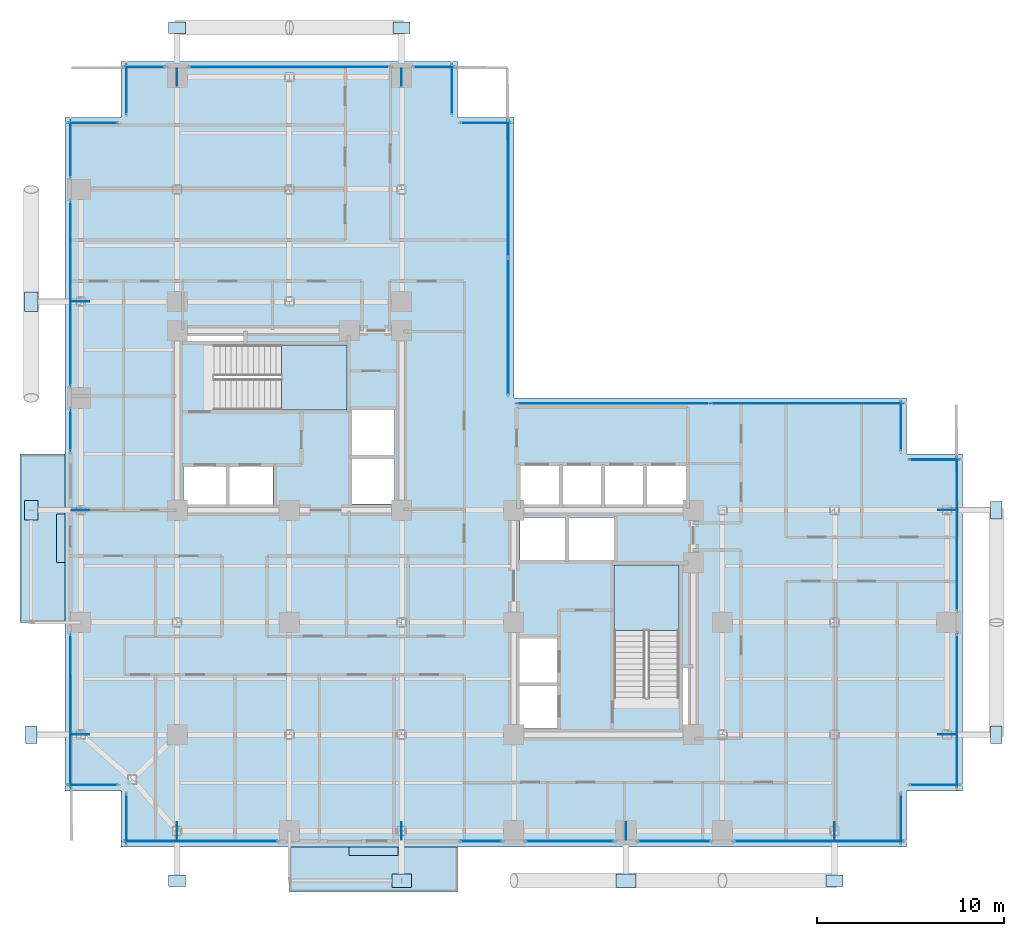
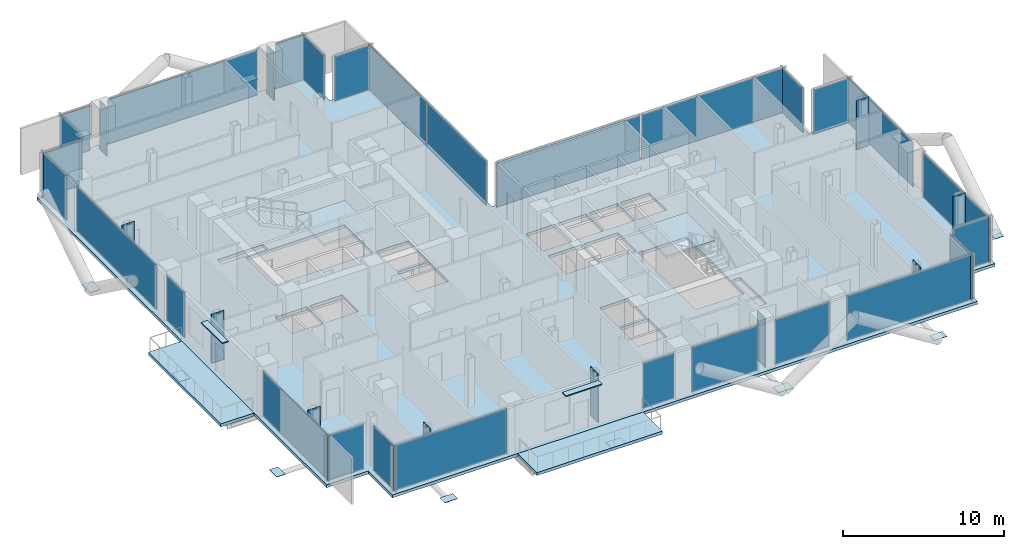
# One storey, part 17 of 24: 52 plates, 5 slabs, 28 elements without a shape of their own.
"""IFC4 building model written with IfcOpenShell, lengths in metres."""

from ifc_helpers import new_model, si_unit, direction, frame, origin, origin_2d, place, context, subcontext, project, spatial, polyline, rectangle, outline, extrude, material, layer, layer_set, type_object, element, aggregate, save


model = new_model("IFC4")

# Units and contexts
model_context = context("Model", 3, precision=1e-05, world=origin(), true_north=direction((0.0, 1.0)))
body_context = subcontext(model_context, "Body", "Model", "MODEL_VIEW")
ifc_project = project(units=[si_unit("LENGTHUNIT", "METRE"), si_unit("AREAUNIT", "SQUARE_METRE"), si_unit("VOLUMEUNIT", "CUBIC_METRE"), si_unit("PLANEANGLEUNIT", "RADIAN"), si_unit("MASSUNIT", "GRAM", prefix="KILO"), si_unit("THERMODYNAMICTEMPERATUREUNIT", "KELVIN"), si_unit("POWERUNIT", "WATT")], contexts=[model_context])

# Site, building, storey
site_placement = place(None, origin())
site = spatial("IfcSite", under=ifc_project, at=site_placement, CompositionType="ELEMENT")
building_placement = place(site_placement, origin())
building = spatial("IfcBuilding", under=site, at=building_placement, Name="Svarakhadi Broadcast Tower", CompositionType="ELEMENT")
storey_placement = place(building_placement, frame((0.0, 0.0, 156.89990234375)))
storey = spatial("IfcBuildingStorey", under=building, at=storey_placement, Name="L38", CompositionType="ELEMENT", Elevation=156.89990234375)

# Curtain wall, plate
ifc_material_1 = material(Name="Anodised Bronze Aluminium AA 6063-T6", Category="aluminium")
ifc_layer_1 = layer(ifc_material_1, 0.199951171875)
ifc_layer_set_1 = layer_set([ifc_layer_1], Name="Anodised Bronze Aluminium AA 6063-T6")
curtain_wall_type = type_object("IfcCurtainWallType", Name="CW_Sys_03", PredefinedType="NOTDEFINED", material=ifc_layer_set_1)
curtain_wall_1_placement = place(storey_placement, origin())
curtain_wall_1 = element("IfcCurtainWall", 1, at=curtain_wall_1_placement, inside=storey, type_object=curtain_wall_type, Name="L38 Unitised Facade Curtain Wall 01", PredefinedType="NOTDEFINED")
ifc_material_2 = material(Name="Double Low-E Laminated Acoustic Glass IGU 36 mm", Category="glass")
ifc_layer_2 = layer(ifc_material_2, 0.035888671875)
ifc_layer_set_2 = layer_set([ifc_layer_2], Name="Double Low-E Laminated Acoustic Glass IGU 36 mm")
plate_type_1 = type_object("IfcPlateType", Name="CW_Sys_03_Pnl", PredefinedType="CURTAIN_PANEL", material=ifc_layer_set_2)
plate_1_placement = place(storey_placement, frame((1.5, 3.300048828125, 0.0703125), z_axis=(0.0, 0.0, 1.0), x_axis=(-1.0, 0.0, 0.0)))
plate_1 = element("IfcPlate", 2, at=plate_1_placement, type_object=plate_type_1, Name="CW-03 panel 1.1", PredefinedType="CURTAIN_PANEL", context=body_context, shape_type="SweptSolid", body=[
    extrude(rectangle(XDim=2.669921875, YDim=0.035888671875, at=origin_2d()), origin(), (0.0, 0.0, 1.0), 3.385009765625),
])
aggregate(curtain_wall_1, [plate_1])

curtain_wall_2_placement = place(storey_placement, origin())
curtain_wall_2 = element("IfcCurtainWall", 3, at=curtain_wall_2_placement, inside=storey, type_object=curtain_wall_type, Name="L38 West Curtain Wall 02", PredefinedType="NOTDEFINED")
plate_2_placement = place(storey_placement, frame((0.300048828125, 7.260009765625, 0.0703125), z_axis=(0.0, 0.0, 1.0), x_axis=(0.0, 1.0, 0.0)))
plate_2 = element("IfcPlate", 4, at=plate_2_placement, type_object=plate_type_1, Name="CW-03 panel 1.1", PredefinedType="CURTAIN_PANEL", context=body_context, shape_type="SweptSolid", body=[
    extrude(rectangle(XDim=8.18994140625, YDim=0.035888671875, at=origin_2d()), origin(), (0.0, 0.0, 1.0), 3.385009765625),
])
aggregate(curtain_wall_2, [plate_2])

curtain_wall_3_placement = place(storey_placement, origin())
curtain_wall_3 = element("IfcCurtainWall", 5, at=curtain_wall_3_placement, inside=storey, type_object=curtain_wall_type, Name="L38 West Curtain Wall 03 Bay 1", PredefinedType="NOTDEFINED")
plate_3_placement = place(storey_placement, frame((0.300048828125, 22.260009765625, 0.0703125), z_axis=(0.0, 0.0, 1.0), x_axis=(0.0, 1.0, 0.0)))
plate_3 = element("IfcPlate", 6, at=plate_3_placement, type_object=plate_type_1, Name="CW-03 panel 1.1", PredefinedType="CURTAIN_PANEL", context=body_context, shape_type="SweptSolid", body=[
    extrude(rectangle(XDim=2.18994140625, YDim=0.035888671875, at=origin_2d()), origin(), (0.0, 0.0, 1.0), 3.385009765625),
])
aggregate(curtain_wall_3, [plate_3])

curtain_wall_4_placement = place(storey_placement, origin())
curtain_wall_4 = element("IfcCurtainWall", 7, at=curtain_wall_4_placement, inside=storey, type_object=curtain_wall_type, Name="L38 West Curtain Wall 03 Bay 2", PredefinedType="NOTDEFINED")
plate_4_placement = place(storey_placement, frame((0.300048828125, 29.574951171875, 0.0703125), z_axis=(0.0, 0.0, 1.0), x_axis=(0.0, 1.0, 0.0)))
plate_4 = element("IfcPlate", 8, at=plate_4_placement, type_object=plate_type_1, Name="CW-03 panel 1.1", PredefinedType="CURTAIN_PANEL", context=body_context, shape_type="SweptSolid", body=[
    extrude(rectangle(XDim=9.860107421875, YDim=0.035888671875, at=origin_2d()), origin(), (0.0, 0.0, 1.0), 3.385009765625),
])
aggregate(curtain_wall_4, [plate_4])

curtain_wall_5_placement = place(storey_placement, origin())
curtain_wall_5 = element("IfcCurtainWall", 9, at=curtain_wall_5_placement, inside=storey, type_object=curtain_wall_type, Name="L38 West Curtain Wall 03 Bay 3", PredefinedType="NOTDEFINED")
plate_5_placement = place(storey_placement, frame((0.300048828125, 37.31494140625, 0.0703125), z_axis=(0.0, 0.0, 1.0), x_axis=(0.0, 1.0, 0.0)))
plate_5 = element("IfcPlate", 10, at=plate_5_placement, type_object=plate_type_1, Name="CW-03 panel 1.1", PredefinedType="CURTAIN_PANEL", context=body_context, shape_type="SweptSolid", body=[
    extrude(rectangle(XDim=3.0400390625, YDim=0.035888671875, at=origin_2d()), origin(), (0.0, 0.0, 1.0), 3.385009765625),
])
aggregate(curtain_wall_5, [plate_5])

curtain_wall_6_placement = place(storey_placement, origin())
curtain_wall_6 = element("IfcCurtainWall", 11, at=curtain_wall_6_placement, inside=storey, type_object=curtain_wall_type, Name="L38 Unitised Facade Curtain Wall 04", PredefinedType="NOTDEFINED")
plate_6_placement = place(storey_placement, frame((1.5, 38.699951171875, 0.0703125), z_axis=(0.0, 0.0, 1.0), x_axis=(1.0, 0.0, 0.0)))
plate_6 = element("IfcPlate", 12, at=plate_6_placement, type_object=plate_type_1, Name="CW-03 panel 1.1", PredefinedType="CURTAIN_PANEL", context=body_context, shape_type="SweptSolid", body=[
    extrude(rectangle(XDim=2.669921875, YDim=0.035888671875, at=origin_2d()), origin(), (0.0, 0.0, 1.0), 3.385009765625),
])
aggregate(curtain_wall_6, [plate_6])

curtain_wall_7_placement = place(storey_placement, origin())
curtain_wall_7 = element("IfcCurtainWall", 13, at=curtain_wall_7_placement, inside=storey, type_object=curtain_wall_type, Name="L38 Unitised Facade Curtain Wall 05", PredefinedType="NOTDEFINED")
plate_7_placement = place(storey_placement, frame((3.300048828125, 40.5, 0.0703125), z_axis=(0.0, 0.0, 1.0), x_axis=(0.0, 1.0, 0.0)))
plate_7 = element("IfcPlate", 14, at=plate_7_placement, type_object=plate_type_1, Name="CW-03 panel 1.1", PredefinedType="CURTAIN_PANEL", context=body_context, shape_type="SweptSolid", body=[
    extrude(rectangle(XDim=2.669921875, YDim=0.035888671875, at=origin_2d()), origin(), (0.0, 0.0, 1.0), 3.385009765625),
])
aggregate(curtain_wall_7, [plate_7])

curtain_wall_8_placement = place(storey_placement, origin())
curtain_wall_8 = element("IfcCurtainWall", 15, at=curtain_wall_8_placement, inside=storey, type_object=curtain_wall_type, Name="L38 Unitised Facade Curtain Wall 06 Bay 1", PredefinedType="NOTDEFINED")
plate_8_placement = place(storey_placement, frame((4.260009765625, 41.699951171875, 0.0703125), z_axis=(0.0, 0.0, 1.0), x_axis=(1.0, 0.0, 0.0)))
plate_8 = element("IfcPlate", 16, at=plate_8_placement, type_object=plate_type_1, Name="CW-03 panel 1.1", PredefinedType="CURTAIN_PANEL", context=body_context, shape_type="SweptSolid", body=[
    extrude(rectangle(XDim=2.18994140625, YDim=0.035888671875, at=origin_2d()), origin(), (0.0, 0.0, 1.0), 3.385009765625),
])
aggregate(curtain_wall_8, [plate_8])

curtain_wall_9_placement = place(storey_placement, origin())
curtain_wall_9 = element("IfcCurtainWall", 17, at=curtain_wall_9_placement, inside=storey, type_object=curtain_wall_type, Name="L38 Unitised Facade Curtain Wall 06 Bay 2", PredefinedType="NOTDEFINED")
plate_9_placement = place(storey_placement, frame((12.0, 41.699951171875, 0.0703125), z_axis=(0.0, 0.0, 1.0), x_axis=(1.0, 0.0, 0.0)))
plate_9 = element("IfcPlate", 18, at=plate_9_placement, type_object=plate_type_1, Name="CW-03 panel 1.1", PredefinedType="CURTAIN_PANEL", context=body_context, shape_type="SweptSolid", body=[
    extrude(rectangle(XDim=10.7099609375, YDim=0.035888671875, at=origin_2d()), origin(), (0.0, 0.0, 1.0), 3.385009765625),
])
aggregate(curtain_wall_9, [plate_9])

curtain_wall_10_placement = place(storey_placement, origin())
curtain_wall_10 = element("IfcCurtainWall", 19, at=curtain_wall_10_placement, inside=storey, type_object=curtain_wall_type, Name="L38 Unitised Facade Curtain Wall 06 Bay 3", PredefinedType="NOTDEFINED")
plate_10_placement = place(storey_placement, frame((19.739990234375, 41.699951171875, 0.0703125), z_axis=(0.0, 0.0, 1.0), x_axis=(1.0, 0.0, 0.0)))
plate_10 = element("IfcPlate", 20, at=plate_10_placement, type_object=plate_type_1, Name="CW-03 panel 1.1", PredefinedType="CURTAIN_PANEL", context=body_context, shape_type="SweptSolid", body=[
    extrude(rectangle(XDim=2.18994140625, YDim=0.035888671875, at=origin_2d()), origin(), (0.0, 0.0, 1.0), 3.385009765625),
])
aggregate(curtain_wall_10, [plate_10])

curtain_wall_11_placement = place(storey_placement, origin())
curtain_wall_11 = element("IfcCurtainWall", 21, at=curtain_wall_11_placement, inside=storey, type_object=curtain_wall_type, Name="L38 Unitised Facade Curtain Wall 07", PredefinedType="NOTDEFINED")
plate_11_placement = place(storey_placement, frame((20.699951171875, 40.5, 0.0703125), z_axis=(0.0, 0.0, 1.0), x_axis=(0.0, -1.0, 0.0)))
plate_11 = element("IfcPlate", 22, at=plate_11_placement, type_object=plate_type_1, Name="CW-03 panel 1.1", PredefinedType="CURTAIN_PANEL", context=body_context, shape_type="SweptSolid", body=[
    extrude(rectangle(XDim=2.669921875, YDim=0.035888671875, at=origin_2d()), origin(), (0.0, 0.0, 1.0), 3.385009765625),
])
aggregate(curtain_wall_11, [plate_11])

curtain_wall_12_placement = place(storey_placement, origin())
curtain_wall_12 = element("IfcCurtainWall", 23, at=curtain_wall_12_placement, inside=storey, type_object=curtain_wall_type, Name="L38 Unitised Facade Curtain Wall 08", PredefinedType="NOTDEFINED")
plate_12_placement = place(storey_placement, frame((22.5, 38.699951171875, 0.0703125), z_axis=(0.0, 0.0, 1.0), x_axis=(1.0, 0.0, 0.0)))
plate_12 = element("IfcPlate", 24, at=plate_12_placement, type_object=plate_type_1, Name="CW-03 panel 1.1", PredefinedType="CURTAIN_PANEL", context=body_context, shape_type="SweptSolid", body=[
    extrude(rectangle(XDim=2.669921875, YDim=0.035888671875, at=origin_2d()), origin(), (0.0, 0.0, 1.0), 3.385009765625),
])
aggregate(curtain_wall_12, [plate_12])

# Curtain wall, plates
curtain_wall_13_placement = place(storey_placement, origin())
curtain_wall_13 = element("IfcCurtainWall", 25, at=curtain_wall_13_placement, inside=storey, type_object=curtain_wall_type, Name="L38 Unitised Facade Curtain Wall 09", PredefinedType="NOTDEFINED")
plate_13_placement = place(storey_placement, frame((23.699951171875, 35.186279296875, 0.0703125), z_axis=(0.0, 0.0, 1.0), x_axis=(0.0, -1.0, 0.0)))
plate_13 = element("IfcPlate", 26, at=plate_13_placement, type_object=plate_type_1, Name="CW-03 panel 1.1", PredefinedType="CURTAIN_PANEL", context=body_context, shape_type="SweptSolid", body=[
    extrude(rectangle(XDim=7.297607421875, YDim=0.035888671875, at=origin_2d()), origin(), (0.0, 0.0, 1.0), 3.385009765625),
])
plate_14_placement = place(storey_placement, frame((23.699951171875, 27.813720703125, 0.0703125), z_axis=(0.0, 0.0, 1.0), x_axis=(0.0, -1.0, 0.0)))
plate_14 = element("IfcPlate", 27, at=plate_14_placement, type_object=plate_type_1, Name="CW-03 panel 2.1", PredefinedType="CURTAIN_PANEL", context=body_context, shape_type="SweptSolid", body=[
    extrude(rectangle(XDim=7.297607421875, YDim=0.035888671875, at=origin_2d()), origin(), (0.0, 0.0, 1.0), 3.385009765625),
])
aggregate(curtain_wall_13, [plate_13, plate_14])

curtain_wall_14_placement = place(storey_placement, origin())
curtain_wall_14 = element("IfcCurtainWall", 28, at=curtain_wall_14_placement, inside=storey, type_object=curtain_wall_type, Name="L38 Unitised Facade Curtain Wall 10", PredefinedType="NOTDEFINED")
plate_15_placement = place(storey_placement, frame((29.313720703125, 23.699951171875, 0.0703125), z_axis=(0.0, 0.0, 1.0), x_axis=(1.0, 0.0, 0.0)))
plate_15 = element("IfcPlate", 29, at=plate_15_placement, type_object=plate_type_1, Name="CW-03 panel 1.1", PredefinedType="CURTAIN_PANEL", context=body_context, shape_type="SweptSolid", body=[
    extrude(rectangle(XDim=10.297607421875, YDim=0.035888671875, at=origin_2d()), origin(), (0.0, 0.0, 1.0), 3.385009765625),
])
plate_16_placement = place(storey_placement, frame((39.686279296875, 23.699951171875, 0.0703125), z_axis=(0.0, 0.0, 1.0), x_axis=(1.0, 0.0, 0.0)))
plate_16 = element("IfcPlate", 30, at=plate_16_placement, type_object=plate_type_1, Name="CW-03 panel 2.1", PredefinedType="CURTAIN_PANEL", context=body_context, shape_type="SweptSolid", body=[
    extrude(rectangle(XDim=10.297607421875, YDim=0.035888671875, at=origin_2d()), origin(), (0.0, 0.0, 1.0), 3.385009765625),
])
aggregate(curtain_wall_14, [plate_15, plate_16])

# Curtain wall, plate
curtain_wall_15_placement = place(storey_placement, origin())
curtain_wall_15 = element("IfcCurtainWall", 31, at=curtain_wall_15_placement, inside=storey, type_object=curtain_wall_type, Name="L38 Unitised Facade Curtain Wall 11", PredefinedType="NOTDEFINED")
plate_17_placement = place(storey_placement, frame((44.699951171875, 22.5, 0.0703125), z_axis=(0.0, 0.0, 1.0), x_axis=(0.0, -1.0, 0.0)))
plate_17 = element("IfcPlate", 32, at=plate_17_placement, type_object=plate_type_1, Name="CW-03 panel 1.1", PredefinedType="CURTAIN_PANEL", context=body_context, shape_type="SweptSolid", body=[
    extrude(rectangle(XDim=2.669921875, YDim=0.035888671875, at=origin_2d()), origin(), (0.0, 0.0, 1.0), 3.385009765625),
])
aggregate(curtain_wall_15, [plate_17])

curtain_wall_16_placement = place(storey_placement, origin())
curtain_wall_16 = element("IfcCurtainWall", 33, at=curtain_wall_16_placement, inside=storey, type_object=curtain_wall_type, Name="L38 Unitised Facade Curtain Wall 12", PredefinedType="NOTDEFINED")
plate_18_placement = place(storey_placement, frame((46.5, 20.699951171875, 0.0703125), z_axis=(0.0, 0.0, 1.0), x_axis=(1.0, 0.0, 0.0)))
plate_18 = element("IfcPlate", 34, at=plate_18_placement, type_object=plate_type_1, Name="CW-03 panel 1.1", PredefinedType="CURTAIN_PANEL", context=body_context, shape_type="SweptSolid", body=[
    extrude(rectangle(XDim=2.669921875, YDim=0.035888671875, at=origin_2d()), origin(), (0.0, 0.0, 1.0), 3.385009765625),
])
aggregate(curtain_wall_16, [plate_18])

curtain_wall_17_placement = place(storey_placement, origin())
curtain_wall_17 = element("IfcCurtainWall", 35, at=curtain_wall_17_placement, inside=storey, type_object=curtain_wall_type, Name="L38 Unitised Facade Curtain Wall 13 Bay 1", PredefinedType="NOTDEFINED")
plate_19_placement = place(storey_placement, frame((47.699951171875, 16.739990234375, 0.0703125), z_axis=(0.0, 0.0, 1.0), x_axis=(0.0, -1.0, 0.0)))
plate_19 = element("IfcPlate", 36, at=plate_19_placement, type_object=plate_type_1, Name="CW-03 panel 1.1", PredefinedType="CURTAIN_PANEL", context=body_context, shape_type="SweptSolid", body=[
    extrude(rectangle(XDim=8.18994140625, YDim=0.035888671875, at=origin_2d()), origin(), (0.0, 0.0, 1.0), 3.385009765625),
])
aggregate(curtain_wall_17, [plate_19])

curtain_wall_18_placement = place(storey_placement, origin())
curtain_wall_18 = element("IfcCurtainWall", 37, at=curtain_wall_18_placement, inside=storey, type_object=curtain_wall_type, Name="L38 Unitised Facade Curtain Wall 13 Bay 2", PredefinedType="NOTDEFINED")
plate_20_placement = place(storey_placement, frame((47.699951171875, 7.260009765625, 0.0703125), z_axis=(0.0, 0.0, 1.0), x_axis=(0.0, -1.0, 0.0)))
plate_20 = element("IfcPlate", 38, at=plate_20_placement, type_object=plate_type_1, Name="CW-03 panel 1.1", PredefinedType="CURTAIN_PANEL", context=body_context, shape_type="SweptSolid", body=[
    extrude(rectangle(XDim=8.18994140625, YDim=0.035888671875, at=origin_2d()), origin(), (0.0, 0.0, 1.0), 3.385009765625),
])
aggregate(curtain_wall_18, [plate_20])

curtain_wall_19_placement = place(storey_placement, origin())
curtain_wall_19 = element("IfcCurtainWall", 39, at=curtain_wall_19_placement, inside=storey, type_object=curtain_wall_type, Name="L38 Unitised Facade Curtain Wall 14", PredefinedType="NOTDEFINED")
plate_21_placement = place(storey_placement, frame((46.5, 3.300048828125, 0.0703125), z_axis=(0.0, 0.0, 1.0), x_axis=(-1.0, 0.0, 0.0)))
plate_21 = element("IfcPlate", 40, at=plate_21_placement, type_object=plate_type_1, Name="CW-03 panel 1.1", PredefinedType="CURTAIN_PANEL", context=body_context, shape_type="SweptSolid", body=[
    extrude(rectangle(XDim=2.669921875, YDim=0.035888671875, at=origin_2d()), origin(), (0.0, 0.0, 1.0), 3.385009765625),
])
aggregate(curtain_wall_19, [plate_21])

curtain_wall_20_placement = place(storey_placement, origin())
curtain_wall_20 = element("IfcCurtainWall", 41, at=curtain_wall_20_placement, inside=storey, type_object=curtain_wall_type, Name="L38 Unitised Facade Curtain Wall 15", PredefinedType="NOTDEFINED")
plate_22_placement = place(storey_placement, frame((44.699951171875, 1.5, 0.0703125), z_axis=(0.0, 0.0, 1.0), x_axis=(0.0, -1.0, 0.0)))
plate_22 = element("IfcPlate", 42, at=plate_22_placement, type_object=plate_type_1, Name="CW-03 panel 1.1", PredefinedType="CURTAIN_PANEL", context=body_context, shape_type="SweptSolid", body=[
    extrude(rectangle(XDim=2.669921875, YDim=0.035888671875, at=origin_2d()), origin(), (0.0, 0.0, 1.0), 3.385009765625),
])
aggregate(curtain_wall_20, [plate_22])

curtain_wall_21_placement = place(storey_placement, origin())
curtain_wall_21 = element("IfcCurtainWall", 43, at=curtain_wall_21_placement, inside=storey, type_object=curtain_wall_type, Name="L38 South Curtain Wall 16 Bay 1", PredefinedType="NOTDEFINED")
plate_23_placement = place(storey_placement, frame((40.31494140625, 0.300048828125, 0.0703125), z_axis=(0.0, 0.0, 1.0), x_axis=(-1.0, 0.0, 0.0)))
plate_23 = element("IfcPlate", 44, at=plate_23_placement, type_object=plate_type_1, Name="CW-03 panel 1.1", PredefinedType="CURTAIN_PANEL", context=body_context, shape_type="SweptSolid", body=[
    extrude(rectangle(XDim=9.0400390625, YDim=0.035888671875, at=origin_2d()), origin(), (0.0, 0.0, 1.0), 3.385009765625),
])
aggregate(curtain_wall_21, [plate_23])

curtain_wall_22_placement = place(storey_placement, origin())
curtain_wall_22 = element("IfcCurtainWall", 45, at=curtain_wall_22_placement, inside=storey, type_object=curtain_wall_type, Name="L38 South Curtain Wall 16 Bay 2", PredefinedType="NOTDEFINED")
plate_24_placement = place(storey_placement, frame((32.574951171875, 0.300048828125, 0.0703125), z_axis=(0.0, 0.0, 1.0), x_axis=(-1.0, 0.0, 0.0)))
plate_24 = element("IfcPlate", 46, at=plate_24_placement, type_object=plate_type_1, Name="CW-03 panel 1.1", PredefinedType="CURTAIN_PANEL", context=body_context, shape_type="SweptSolid", body=[
    extrude(rectangle(XDim=3.860107421875, YDim=0.035888671875, at=origin_2d()), origin(), (0.0, 0.0, 1.0), 3.385009765625),
])
aggregate(curtain_wall_22, [plate_24])

curtain_wall_23_placement = place(storey_placement, origin())
curtain_wall_23 = element("IfcCurtainWall", 47, at=curtain_wall_23_placement, inside=storey, type_object=curtain_wall_type, Name="L38 South Curtain Wall 16 Bay 3", PredefinedType="NOTDEFINED")
plate_25_placement = place(storey_placement, frame((27.0, 0.300048828125, 0.0703125), z_axis=(0.0, 0.0, 1.0), x_axis=(-1.0, 0.0, 0.0)))
plate_25 = element("IfcPlate", 48, at=plate_25_placement, type_object=plate_type_1, Name="CW-03 panel 1.1", PredefinedType="CURTAIN_PANEL", context=body_context, shape_type="SweptSolid", body=[
    extrude(rectangle(XDim=4.7099609375, YDim=0.035888671875, at=origin_2d()), origin(), (0.0, 0.0, 1.0), 3.385009765625),
])
aggregate(curtain_wall_23, [plate_25])

curtain_wall_24_placement = place(storey_placement, origin())
curtain_wall_24 = element("IfcCurtainWall", 49, at=curtain_wall_24_placement, inside=storey, type_object=curtain_wall_type, Name="L38 South Curtain Wall 16 Bay 4", PredefinedType="NOTDEFINED")
plate_26_placement = place(storey_placement, frame((22.260009765625, 0.300048828125, 0.0703125), z_axis=(0.0, 0.0, 1.0), x_axis=(-1.0, 0.0, 0.0)))
plate_26 = element("IfcPlate", 50, at=plate_26_placement, type_object=plate_type_1, Name="CW-03 panel 1.1", PredefinedType="CURTAIN_PANEL", context=body_context, shape_type="SweptSolid", body=[
    extrude(rectangle(XDim=2.18994140625, YDim=0.035888671875, at=origin_2d()), origin(), (0.0, 0.0, 1.0), 3.385009765625),
])
aggregate(curtain_wall_24, [plate_26])

curtain_wall_25_placement = place(storey_placement, origin())
curtain_wall_25 = element("IfcCurtainWall", 51, at=curtain_wall_25_placement, inside=storey, type_object=curtain_wall_type, Name="L38 South Curtain Wall 17", PredefinedType="NOTDEFINED")
plate_27_placement = place(storey_placement, frame((7.260009765625, 0.300048828125, 0.0703125), z_axis=(0.0, 0.0, 1.0), x_axis=(-1.0, 0.0, 0.0)))
plate_27 = element("IfcPlate", 52, at=plate_27_placement, type_object=plate_type_1, Name="CW-03 panel 1.1", PredefinedType="CURTAIN_PANEL", context=body_context, shape_type="SweptSolid", body=[
    extrude(rectangle(XDim=8.18994140625, YDim=0.035888671875, at=origin_2d()), origin(), (0.0, 0.0, 1.0), 3.385009765625),
])
aggregate(curtain_wall_25, [plate_27])

curtain_wall_26_placement = place(storey_placement, origin())
curtain_wall_26 = element("IfcCurtainWall", 53, at=curtain_wall_26_placement, inside=storey, type_object=curtain_wall_type, Name="L38 Unitised Facade Curtain Wall 18", PredefinedType="NOTDEFINED")
plate_28_placement = place(storey_placement, frame((3.300048828125, 1.5, 0.0703125), z_axis=(0.0, 0.0, 1.0), x_axis=(0.0, 1.0, 0.0)))
plate_28 = element("IfcPlate", 54, at=plate_28_placement, type_object=plate_type_1, Name="CW-03 panel 1.1", PredefinedType="CURTAIN_PANEL", context=body_context, shape_type="SweptSolid", body=[
    extrude(rectangle(XDim=2.669921875, YDim=0.035888671875, at=origin_2d()), origin(), (0.0, 0.0, 1.0), 3.385009765625),
])
aggregate(curtain_wall_26, [plate_28])

# Plates
ifc_material_3 = material(Name="Steel S460ML (IS 2062 E450BR)", Category="steel")
ifc_layer_3 = layer(ifc_material_3, 0.031982421875)
ifc_layer_set_3 = layer_set([ifc_layer_3], Name="Steel S460ML (IS 2062 E450BR)")
plate_type_2 = type_object("IfcPlateType", Name="Node_Gusset_N02", PredefinedType="SHEET", material=ifc_layer_set_3)
for number, where, z_axis, x_axis, name in (
    (55, (18.0, -1.800048828125, -0.22509765625), (0.0, 0.0, 1.0), (1.0, 0.0, 0.0), "L38 Exoskeleton Gusset Node Plate S02"),
    (56, (30.0, -1.800048828125, -0.22509765625), (0.0, 0.0, 1.0), (1.0, 0.0, 0.0), "L38 Exoskeleton Gusset Node Plate S03"),
    (57, (-1.800048828125, 18.0, -0.22509765625), (0.0, 0.0, 1.0), (0.0, 1.0, 0.0), "L38 Exoskeleton Gusset Node Plate W06"),
    (58, (-1.800048828125, 29.14990234375, -0.22509765625), (0.0, 0.0, 1.0), (0.0, 1.0, 0.0), "L38 Exoskeleton Gusset Node Plate W07"),
):
    element("IfcPlate", number, at=place(storey_placement, frame(where, z_axis=z_axis, x_axis=x_axis)), inside=storey, type_object=plate_type_2, Name=name, PredefinedType="SHEET", context=body_context, shape_type="SweptSolid", body=[
        extrude(rectangle(XDim=1.050048828125, YDim=0.719970703125, at=origin_2d()), origin(), (0.0, 0.0, 1.0), 0.031982421875),
    ])
ifc_layer_4 = layer(ifc_material_3, 0.02587890625)
ifc_layer_set_4 = layer_set([ifc_layer_4], Name="Steel S460ML (IS 2062 E450BR)")
plate_type_3 = type_object("IfcPlateType", Name="Node_Gusset_N07", PredefinedType="SHEET", material=ifc_layer_set_4)
for number, where, z_axis, x_axis, name in (
    (59, (6.0, -1.800048828125, -0.224853515625), (0.0, 0.0, 1.0), (1.0, 0.0, 0.0), "L38 Exoskeleton Gusset Node Plate S01"),
    (60, (41.14990234375, -1.800048828125, -0.224853515625), (0.0, 0.0, 1.0), (1.0, 0.0, 0.0), "L38 Exoskeleton Gusset Node Plate S04"),
    (61, (-1.800048828125, 6.0, -0.224853515625), (0.0, 0.0, 1.0), (0.0, 1.0, 0.0), "L38 Exoskeleton Gusset Node Plate W05"),
    (62, (49.800048828125, 6.0, -0.224853515625), (0.0, 0.0, 1.0), (0.0, 1.0, 0.0), "L38 Exoskeleton Gusset Node Plate E08"),
    (63, (49.800048828125, 18.0, -0.224853515625), (0.0, 0.0, 1.0), (0.0, 1.0, 0.0), "L38 Exoskeleton Gusset Node Plate E09"),
    (64, (6.0, 43.800048828125, -0.224853515625), (0.0, 0.0, 1.0), (1.0, 0.0, 0.0), "L38 Exoskeleton Gusset Node Plate N10"),
    (65, (18.0, 43.800048828125, -0.224853515625), (0.0, 0.0, 1.0), (1.0, 0.0, 0.0), "L38 Exoskeleton Gusset Node Plate N11"),
):
    element("IfcPlate", number, at=place(storey_placement, frame(where, z_axis=z_axis, x_axis=x_axis)), inside=storey, type_object=plate_type_3, Name=name, PredefinedType="SHEET", context=body_context, shape_type="SweptSolid", body=[
        extrude(rectangle(XDim=0.919921875, YDim=0.6201171875, at=origin_2d()), origin(), (0.0, 0.0, 1.0), 0.02587890625),
    ])
for number, where, z_axis, x_axis, name in (
    (66, (6.0, 0.85009765625, -0.5869140625), (0.0, 0.0, 1.0), (0.0, 1.0, 0.0), "L38 Brace End Connection Gusset Plate N-07-E0310"),
    (67, (18.0, 0.85009765625, -0.5869140625), (0.0, 0.0, 1.0), (0.0, 1.0, 0.0), "L38 Brace End Connection Gusset Plate N-07-E0311"),
    (68, (30.0, 0.85009765625, -0.5869140625), (0.0, 0.0, 1.0), (0.0, 1.0, 0.0), "L38 Brace End Connection Gusset Plate N-07-E0312"),
    (69, (41.14990234375, 0.85009765625, -0.5869140625), (0.0, 0.0, 1.0), (0.0, 1.0, 0.0), "L38 Brace End Connection Gusset Plate N-07-E0313"),
    (70, (0.85009765625, 6.0, -0.5869140625), (0.0, 0.0, 1.0), (1.0, 0.0, 0.0), "L38 Brace End Connection Gusset Plate N-07-E0314"),
    (71, (0.85009765625, 18.0, -0.5869140625), (0.0, 0.0, 1.0), (1.0, 0.0, 0.0), "L38 Brace End Connection Gusset Plate N-07-E0315"),
    (72, (0.85009765625, 29.14990234375, -0.5869140625), (0.0, 0.0, 1.0), (1.0, 0.0, 0.0), "L38 Brace End Connection Gusset Plate N-07-E0316"),
    (73, (47.14990234375, 6.0, -0.5869140625), (0.0, 0.0, 1.0), (1.0, 0.0, 0.0), "L38 Brace End Connection Gusset Plate N-07-E0317"),
    (74, (47.14990234375, 18.0, -0.5869140625), (0.0, 0.0, 1.0), (1.0, 0.0, 0.0), "L38 Brace End Connection Gusset Plate N-07-E0318"),
    (75, (6.0, 41.14990234375, -0.5869140625), (0.0, 0.0, 1.0), (0.0, 1.0, 0.0), "L38 Brace End Connection Gusset Plate N-07-E0319"),
    (76, (18.0, 41.14990234375, -0.5869140625), (0.0, 0.0, 1.0), (0.0, 1.0, 0.0), "L38 Brace End Connection Gusset Plate N-07-E0320"),
):
    element("IfcPlate", number, at=place(storey_placement, frame(where, z_axis=z_axis, x_axis=x_axis)), inside=storey, type_object=plate_type_3, Name=name, PredefinedType="SHEET", context=body_context, shape_type="SweptSolid", body=[
        extrude(rectangle(XDim=0.919921875, YDim=0.02587890625, at=origin_2d()), origin(), (0.0, 0.0, 1.0), 4.300048828125),
    ])

# Slab
ifc_material_4 = material(Name="Concrete C40/50 (IS 456 M50)", Category="concrete")
ifc_layer_5 = layer(ifc_material_4, 0.22509765625)
ifc_layer_set_5 = layer_set([ifc_layer_5], Name="Concrete C40/50 (IS 456 M50)")
slab_type_1 = type_object("IfcSlabType", Name="Slab_Floor_225", PredefinedType="FLOOR", material=ifc_layer_set_5)
slab_1_placement = place(storey_placement, frame((0.0, 0.0, -0.224853515625)))
element("IfcSlab", 77, at=slab_1_placement, inside=storey, type_object=slab_type_1, Name="L38 Structural Floor Slab", PredefinedType="FLOOR", context=body_context, shape_type="SweptSolid", body=[
    extrude(outline(polyline([(3.0, 0.0), (45.0, 0.0), (45.0, 3.0), (48.0, 3.0), (48.0, 21.0), (45.0, 21.0), (45.0, 24.0), (24.0, 24.0), (24.0, 39.0), (21.0, 39.0), (21.0, 42.0), (3.0, 42.0), (3.0, 39.0), (0.0, 39.0), (0.0, 3.0), (3.0, 3.0), (3.0, 0.0)]), holes=[polyline([(7.97998046875, 23.360107421875), (15.080078125, 23.360107421875), (15.080078125, 26.840087890625), (7.97998046875, 26.840087890625), (7.97998046875, 23.360107421875)]), polyline([(32.840087890625, 7.97998046875), (32.840087890625, 15.080078125), (29.360107421875, 15.080078125), (29.360107421875, 7.97998046875), (32.840087890625, 7.97998046875)]), polyline([(6.340087890625, 18.2900390625), (8.610107421875, 18.2900390625), (8.610107421875, 20.330078125), (6.340087890625, 20.330078125), (6.340087890625, 18.2900390625)]), polyline([(8.7900390625, 18.2900390625), (11.1298828125, 18.2900390625), (11.1298828125, 20.330078125), (8.7900390625, 20.330078125), (8.7900390625, 18.2900390625)]), polyline([(24.2900390625, 6.340087890625), (26.330078125, 6.340087890625), (26.330078125, 8.610107421875), (24.2900390625, 8.610107421875), (24.2900390625, 6.340087890625)]), polyline([(24.2900390625, 8.7900390625), (26.330078125, 8.7900390625), (26.330078125, 11.1298828125), (24.2900390625, 11.1298828125), (24.2900390625, 8.7900390625)]), polyline([(6.340087890625, 26.989990234375), (9.610107421875, 26.989990234375), (9.610107421875, 27.530029296875), (6.340087890625, 27.530029296875), (6.340087890625, 26.989990234375)]), polyline([(32.989990234375, 6.340087890625), (33.530029296875, 6.340087890625), (33.530029296875, 9.610107421875), (32.989990234375, 9.610107421875), (32.989990234375, 6.340087890625)]), polyline([(15.340087890625, 18.340087890625), (17.610107421875, 18.340087890625), (17.610107421875, 20.760009765625), (15.340087890625, 20.760009765625), (15.340087890625, 18.340087890625)]), polyline([(15.340087890625, 20.93994140625), (17.610107421875, 20.93994140625), (17.610107421875, 23.360107421875), (15.340087890625, 23.360107421875), (15.340087890625, 20.93994140625)]), polyline([(24.340087890625, 15.340087890625), (26.760009765625, 15.340087890625), (26.760009765625, 17.610107421875), (24.340087890625, 17.610107421875), (24.340087890625, 15.340087890625)]), polyline([(26.93994140625, 15.340087890625), (29.360107421875, 15.340087890625), (29.360107421875, 17.610107421875), (26.93994140625, 17.610107421875), (26.93994140625, 15.340087890625)]), polyline([(24.340087890625, 18.239990234375), (26.429931640625, 18.239990234375), (26.429931640625, 20.360107421875), (24.340087890625, 20.360107421875), (24.340087890625, 18.239990234375)]), polyline([(26.610107421875, 18.239990234375), (28.679931640625, 18.239990234375), (28.679931640625, 20.360107421875), (26.610107421875, 20.360107421875), (26.610107421875, 18.239990234375)]), polyline([(28.860107421875, 18.239990234375), (30.929931640625, 18.239990234375), (30.929931640625, 20.360107421875), (28.860107421875, 20.360107421875), (28.860107421875, 18.239990234375)]), polyline([(31.110107421875, 18.239990234375), (33.2099609375, 18.239990234375), (33.2099609375, 20.360107421875), (31.110107421875, 20.360107421875), (31.110107421875, 18.239990234375)])]), origin(), (0.0, 0.0, 1.0), 0.224853515625),
])

# Stair, slab
stair_type = type_object("IfcStairType", Name="Stair_Exit_Core", PredefinedType="HALF_TURN_STAIR", material=ifc_material_4)
stair_1_placement = place(storey_placement, origin())
stair_1 = element("IfcStair", 78, at=stair_1_placement, inside=storey, type_object=stair_type, Name="L38 West Core Protected Exit Stair ST-01", PredefinedType="HALF_TURN_STAIR")
ifc_layer_6 = layer(ifc_material_4, 0.199951171875)
ifc_layer_set_6 = layer_set([ifc_layer_6], Name="Concrete C40/50 (IS 456 M50)")
slab_type_2 = type_object("IfcSlabType", Name="Slab_Stair_Land", PredefinedType="LANDING", material=ifc_layer_set_6)
slab_2_placement = place(storey_placement, frame((0.0, 0.0, 1.675048828125)))
slab_2 = element("IfcSlab", 79, at=slab_2_placement, type_object=slab_type_2, Name="ST-01 landing 1", PredefinedType="LANDING", context=body_context, shape_type="SweptSolid", body=[
    extrude(outline(polyline([(11.580078125, 23.360107421875), (15.080078125, 23.360107421875), (15.080078125, 26.840087890625), (11.580078125, 26.840087890625), (11.580078125, 23.360107421875)])), origin(), (0.0, 0.0, 1.0), 0.199951171875),
])
aggregate(stair_1, [slab_2])

stair_2_placement = place(storey_placement, origin())
stair_2 = element("IfcStair", 80, at=stair_2_placement, inside=storey, type_object=stair_type, Name="L38 East Core Protected Exit Stair ST-02", PredefinedType="HALF_TURN_STAIR")
slab_3_placement = place(storey_placement, frame((0.0, 0.0, 1.675048828125)))
slab_3 = element("IfcSlab", 81, at=slab_3_placement, type_object=slab_type_2, Name="ST-02 landing 1", PredefinedType="LANDING", context=body_context, shape_type="SweptSolid", body=[
    extrude(outline(polyline([(32.840087890625, 11.580078125), (32.840087890625, 15.080078125), (29.360107421875, 15.080078125), (29.360107421875, 11.580078125), (32.840087890625, 11.580078125)])), origin(), (0.0, 0.0, 1.0), 0.199951171875),
])
aggregate(stair_2, [slab_3])

# Slabs
ifc_layer_7 = layer(ifc_material_4, 0.22509765625)
ifc_layer_set_7 = layer_set([ifc_layer_7], Name="Concrete C40/50 (IS 456 M50)")
slab_type_3 = type_object("IfcSlabType", Name="Slab_TreeBalcony", PredefinedType="FLOOR", material=ifc_layer_set_7)
slab_4_placement = place(storey_placement, frame((0.0, 0.0, -0.224853515625)))
element("IfcSlab", 82, at=slab_4_placement, inside=storey, type_object=slab_type_3, Name="L38 Planted Tree Balcony Slab BAL-S", PredefinedType="FLOOR", context=body_context, shape_type="SweptSolid", body=[
    extrude(outline(polyline([(12.0, -2.39990234375), (21.0, -2.39990234375), (21.0, 0.0), (12.0, 0.0), (12.0, -2.39990234375)])), origin(), (0.0, 0.0, 1.0), 0.224853515625),
])
slab_5_placement = place(storey_placement, frame((0.0, 0.0, -0.224853515625)))
element("IfcSlab", 83, at=slab_5_placement, inside=storey, type_object=slab_type_3, Name="L38 Planted Tree Balcony Slab BAL-W", PredefinedType="FLOOR", context=body_context, shape_type="SweptSolid", body=[
    extrude(outline(polyline([(-2.39990234375, 12.0), (0.0, 12.0), (0.0, 21.0), (-2.39990234375, 21.0), (-2.39990234375, 12.0)])), origin(), (0.0, 0.0, 1.0), 0.224853515625),
])

# Plates
ifc_layer_8 = layer(ifc_material_1, 0.080078125)
ifc_layer_set_8 = layer_set([ifc_layer_8], Name="Anodised Bronze Aluminium AA 6063-T6")
plate_type_4 = type_object("IfcPlateType", Name="Sunshade_Fin_SS01", PredefinedType="USERDEFINED", material=ifc_layer_set_8)
for number, where, z_axis, x_axis, name in (
    (84, (16.5, -0.22509765625, 3.445068359375), (0.0, 0.0, 1.0), (1.0, 0.0, 0.0), "L38 South Bronze Brise-Soleil Sunshade SS-01"),
    (85, (-0.22509765625, 16.5, 3.445068359375), (0.0, 0.0, 1.0), (0.0, 1.0, 0.0), "L38 West Bronze Brise-Soleil Sunshade SS-01"),
):
    element("IfcPlate", number, at=place(storey_placement, frame(where, z_axis=z_axis, x_axis=x_axis)), inside=storey, type_object=plate_type_4, Name=name, ObjectType="SUNSHADE", PredefinedType="USERDEFINED", context=body_context, shape_type="SweptSolid", body=[
        extrude(rectangle(XDim=2.60009765625, YDim=0.449951171875, at=origin_2d()), origin(), (0.0, 0.0, 1.0), 0.080078125),
    ])

save(model, "model.ifc")
